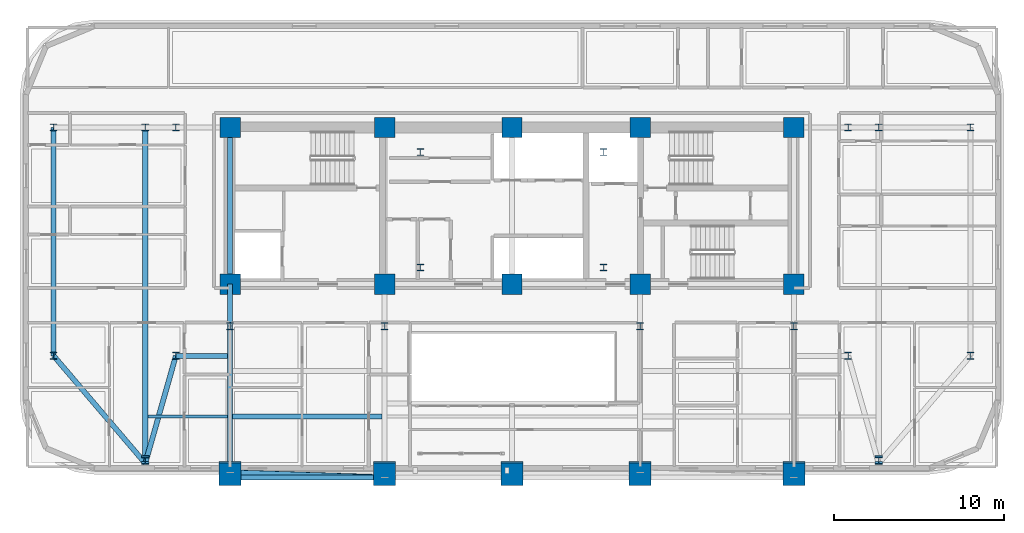
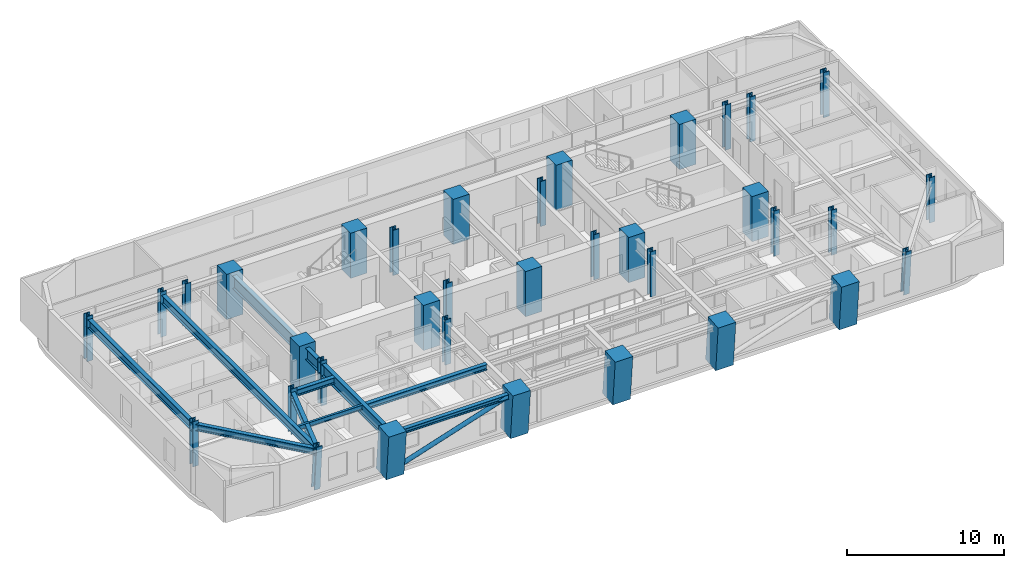
# One storey, part 1 of 16: 35 columns, 11 beams, 1 member.
"""IFC4 building model written with IfcOpenShell, lengths in metres."""

from ifc_helpers import new_model, si_unit, direction, frame, origin, origin_2d, place, context, subcontext, project, spatial, rectangle, hollow_circle, i_section, extrude, material, material_profile, profile_set, type_object, element, save


model = new_model("IFC4")

# Units and contexts
model_context = context("Model", 3, precision=1e-05, world=origin(), true_north=direction((0.0, 1.0)))
body_context = subcontext(model_context, "Body", "Model", "MODEL_VIEW")
ifc_project = project(units=[si_unit("LENGTHUNIT", "METRE"), si_unit("AREAUNIT", "SQUARE_METRE"), si_unit("VOLUMEUNIT", "CUBIC_METRE"), si_unit("PLANEANGLEUNIT", "RADIAN"), si_unit("MASSUNIT", "GRAM", prefix="KILO")], contexts=[model_context])

# Site, building, storey
site_placement = place(None, origin())
site = spatial("IfcSite", under=ifc_project, at=site_placement, CompositionType="ELEMENT")
building_placement = place(site_placement, origin())
building = spatial("IfcBuilding", under=site, at=building_placement, Name="Zarnavel Station Tower", CompositionType="ELEMENT")
storey_placement = place(building_placement, frame((0.0, 0.0, 104.800048828125)))
storey = spatial("IfcBuildingStorey", under=building, at=storey_placement, Name="L28", CompositionType="ELEMENT", Elevation=104.800048828125)

# Columns
ifc_material_1 = material(Name="Steel S460M", Category="steel")
ifc_material_profile_1 = material_profile(ifc_material_1, i_section(OverallWidth=0.41796875, OverallDepth=0.431884765625, WebThickness=0.034912109375, FlangeThickness=0.055908203125, FilletRadius=0.014892578125, at=origin_2d()), Name="HD400x421")
ifc_profile_set_1 = profile_set([ifc_material_profile_1], Name="Steel S460M")
column_type_1 = type_object("IfcColumnType", Name="EC_HD421", PredefinedType="COLUMN", material=ifc_profile_set_1)
for number, where, z_axis, x_axis, name in (
    (1, (1.800048828125, 23.60009765625, 0.0), (0.0, 0.0, 1.0), (1.0, 0.0, 0.0), "L28 Outer Wing South Column 1"),
    (2, (1.800048828125, 37.050048828125, 0.0), (0.0, 0.0, 1.0), (1.0, 0.0, 0.0), "L28 Outer Wing North Column 1"),
):
    element("IfcColumn", number, at=place(storey_placement, frame(where, z_axis=z_axis, x_axis=x_axis)), inside=storey, type_object=column_type_1, Name=name, PredefinedType="COLUMN", context=body_context, shape_type="SweptSolid", body=[
        extrude(i_section(OverallWidth=0.41796875, OverallDepth=0.431884765625, WebThickness=0.034912109375, FlangeThickness=0.055908203125, FilletRadius=0.014892578125, at=origin_2d()), origin(), (0.0, 0.0, 1.0), 3.5),
    ])
for number, where, z_axis, x_axis, name in (
    (3, (7.199951171875, 17.524658203125, 0.0), (0.0, -0.079891690793, 0.996803550226), (1.0, 0.0, 0.0), "L28 Raked Wing Column 2"),
    (4, (50.39990234375, 17.524658203125, 0.0), (0.0, -0.079891690793, 0.996803550226), (1.0, 0.0, 0.0), "L28 Raked Wing Column 3"),
):
    element("IfcColumn", number, at=place(storey_placement, frame(where, z_axis=z_axis, x_axis=x_axis)), inside=storey, type_object=column_type_1, Name=name, PredefinedType="COLUMN", context=body_context, shape_type="SweptSolid", body=[
        extrude(i_section(OverallWidth=0.41796875, OverallDepth=0.431884765625, WebThickness=0.034912109375, FlangeThickness=0.055908203125, FilletRadius=0.014892578125, at=origin_2d()), origin(), (0.0, 0.0, 1.0), 3.51123046875),
    ])
for number, where, z_axis, x_axis, name in (
    (5, (55.800048828125, 23.60009765625, 0.0), (0.0, 0.0, 1.0), (1.0, 0.0, 0.0), "L28 Outer Wing South Column 4"),
    (6, (55.800048828125, 37.050048828125, 0.0), (0.0, 0.0, 1.0), (1.0, 0.0, 0.0), "L28 Outer Wing North Column 4"),
):
    element("IfcColumn", number, at=place(storey_placement, frame(where, z_axis=z_axis, x_axis=x_axis)), inside=storey, type_object=column_type_1, Name=name, PredefinedType="COLUMN", context=body_context, shape_type="SweptSolid", body=[
        extrude(i_section(OverallWidth=0.41796875, OverallDepth=0.431884765625, WebThickness=0.034912109375, FlangeThickness=0.055908203125, FilletRadius=0.014892578125, at=origin_2d()), origin(), (0.0, 0.0, 1.0), 3.5),
    ])
ifc_material_2 = material(Name="Steel S460M", Category="steel")
ifc_material_profile_2 = material_profile(ifc_material_2, i_section(OverallWidth=0.41796875, OverallDepth=0.431884765625, WebThickness=0.034912109375, FlangeThickness=0.055908203125, FilletRadius=0.014892578125, at=origin_2d()), Name="HD400x421")
ifc_profile_set_2 = profile_set([ifc_material_profile_2], Name="Steel S460M")
column_type_2 = type_object("IfcColumnType", Name="IC_HD421", PredefinedType="COLUMN", material=ifc_profile_set_2)
for number, where, z_axis, x_axis, name in (
    (7, (23.39990234375, 28.800048828125, 0.0), (0.0, 0.0, 1.0), (1.0, 0.0, 0.0), "L28 Mast Spine Column 1"),
    (8, (34.199951171875, 28.800048828125, 0.0), (0.0, 0.0, 1.0), (1.0, 0.0, 0.0), "L28 Mast Spine Column 2"),
    (9, (34.199951171875, 35.60009765625, 0.0), (0.0, 0.0, 1.0), (1.0, 0.0, 0.0), "L28 Mast Spine Column 3"),
    (10, (23.39990234375, 35.60009765625, 0.0), (0.0, 0.0, 1.0), (1.0, 0.0, 0.0), "L28 Mast Spine Column 4"),
    (11, (12.199951171875, 25.35009765625, 0.0), (0.0, 0.0, 1.0), (1.0, 0.0, 0.0), "L28 Inner Spine Column 1"),
    (12, (21.300048828125, 25.35009765625, 0.0), (0.0, 0.0, 1.0), (1.0, 0.0, 0.0), "L28 Inner Spine Column 2"),
    (13, (36.35009765625, 25.35009765625, 0.0), (0.0, 0.0, 1.0), (1.0, 0.0, 0.0), "L28 Inner Spine Column 4"),
    (14, (45.39990234375, 25.35009765625, 0.0), (0.0, 0.0, 1.0), (1.0, 0.0, 0.0), "L28 Inner Spine Column 5"),
    (15, (9.0, 23.60009765625, 0.0), (0.0, 0.0, 1.0), (1.0, 0.0, 0.0), "L28 Inner Wing Spine Column 1-1"),
    (16, (9.0, 37.050048828125, 0.0), (0.0, 0.0, 1.0), (1.0, 0.0, 0.0), "L28 Inner Wing Spine Column 1-2"),
    (17, (48.60009765625, 23.60009765625, 0.0), (0.0, 0.0, 1.0), (1.0, 0.0, 0.0), "L28 Inner Wing Spine Column 2-1"),
    (18, (48.60009765625, 37.050048828125, 0.0), (0.0, 0.0, 1.0), (1.0, 0.0, 0.0), "L28 Inner Wing Spine Column 2-2"),
    (19, (7.199951171875, 37.050048828125, 0.0), (0.0, 0.0, 1.0), (1.0, 0.0, 0.0), "L28 Outer Wing North Column 2"),
    (20, (50.39990234375, 37.050048828125, 0.0), (0.0, 0.0, 1.0), (1.0, 0.0, 0.0), "L28 Outer Wing North Column 3"),
):
    element("IfcColumn", number, at=place(storey_placement, frame(where, z_axis=z_axis, x_axis=x_axis)), inside=storey, type_object=column_type_2, Name=name, PredefinedType="COLUMN", context=body_context, shape_type="SweptSolid", body=[
        extrude(i_section(OverallWidth=0.41796875, OverallDepth=0.431884765625, WebThickness=0.034912109375, FlangeThickness=0.055908203125, FilletRadius=0.014892578125, at=origin_2d()), origin(), (0.0, 0.0, 1.0), 3.5),
    ])
ifc_material_3 = material(Name="Concrete C50/60", Category="concrete")
ifc_material_profile_3 = material_profile(ifc_material_3, rectangle(XDim=1.199951171875, YDim=1.199951171875, at=origin_2d()), Name="RC1200x1200")
ifc_profile_set_3 = profile_set([ifc_material_profile_3], Name="Concrete C50/60")
column_type_3 = type_object("IfcColumnType", Name="IC_RC1200", PredefinedType="COLUMN", material=ifc_profile_set_3)
for number, where, z_axis, x_axis, name in (
    (21, (12.199951171875, 27.820068359375, 0.0), (0.0, 0.0, 1.0), (1.0, 0.0, 0.0), "L28 Core Spine Column 1-1"),
    (22, (12.199951171875, 37.050048828125, 0.0), (0.0, 0.0, 1.0), (1.0, 0.0, 0.0), "L28 Core Spine Column 1-2"),
    (23, (21.300048828125, 27.820068359375, 0.0), (0.0, 0.0, 1.0), (1.0, 0.0, 0.0), "L28 Core Spine Column 2-1"),
    (24, (21.300048828125, 37.050048828125, 0.0), (0.0, 0.0, 1.0), (1.0, 0.0, 0.0), "L28 Core Spine Column 2-2"),
    (25, (28.800048828125, 27.820068359375, 0.0), (0.0, 0.0, 1.0), (1.0, 0.0, 0.0), "L28 Core Spine Column 3-1"),
    (26, (28.800048828125, 37.050048828125, 0.0), (0.0, 0.0, 1.0), (1.0, 0.0, 0.0), "L28 Core Spine Column 3-2"),
    (27, (36.35009765625, 27.820068359375, 0.0), (0.0, 0.0, 1.0), (1.0, 0.0, 0.0), "L28 Core Spine Column 4-1"),
    (28, (36.35009765625, 37.050048828125, 0.0), (0.0, 0.0, 1.0), (1.0, 0.0, 0.0), "L28 Core Spine Column 4-2"),
    (29, (45.39990234375, 27.820068359375, 0.0), (0.0, 0.0, 1.0), (1.0, 0.0, 0.0), "L28 Core Spine Column 5-1"),
    (30, (45.39990234375, 37.050048828125, 0.0), (0.0, 0.0, 1.0), (1.0, 0.0, 0.0), "L28 Core Spine Column 5-2"),
):
    element("IfcColumn", number, at=place(storey_placement, frame(where, z_axis=z_axis, x_axis=x_axis)), inside=storey, type_object=column_type_3, Name=name, PredefinedType="COLUMN", context=body_context, shape_type="SweptSolid", body=[
        extrude(rectangle(XDim=1.199951171875, YDim=1.199951171875, at=origin_2d()), origin(), (0.0, 0.0, 1.0), 3.5),
    ])
ifc_material_4 = material(Name="Concrete C60/75", Category="concrete")
ifc_material_profile_4 = material_profile(ifc_material_4, rectangle(XDim=1.300048828125, YDim=1.300048828125, at=origin_2d()), Name="RC1300x1300")
ifc_profile_set_4 = profile_set([ifc_material_profile_4], Name="Concrete C60/75")
column_type_4 = type_object("IfcColumnType", Name="MC_RC1300", PredefinedType="COLUMN", material=ifc_profile_set_4)
for number, where, z_axis, x_axis, name in (
    (31, (12.199951171875, 16.73095703125, 0.0), (0.0, -0.090241349316, 0.995919925935), (1.0, 0.0, 0.0), "L28 Raked South Mega-Column 1"),
    (32, (21.300048828125, 16.73095703125, 0.0), (0.0, -0.090241349316, 0.995919925935), (1.0, 0.0, 0.0), "L28 Raked South Mega-Column 2"),
    (33, (28.800048828125, 16.73095703125, 0.0), (0.0, -0.090241349316, 0.995919925935), (1.0, 0.0, 0.0), "L28 Raked South Mega-Column 3"),
    (34, (36.35009765625, 16.73095703125, 0.0), (0.0, -0.090241349316, 0.995919925935), (1.0, 0.0, 0.0), "L28 Raked South Mega-Column 4"),
    (35, (45.39990234375, 16.73095703125, 0.0), (0.0, -0.090241349316, 0.995919925935), (1.0, 0.0, 0.0), "L28 Raked South Mega-Column 5"),
):
    element("IfcColumn", number, at=place(storey_placement, frame(where, z_axis=z_axis, x_axis=x_axis)), inside=storey, type_object=column_type_4, Name=name, PredefinedType="COLUMN", context=body_context, shape_type="SweptSolid", body=[
        extrude(rectangle(XDim=1.300048828125, YDim=1.300048828125, at=origin_2d()), origin(), (0.0, 0.0, 1.0), 3.514404296875),
    ])

# Member
ifc_material_5 = material(Name="Steel S355J2", Category="steel")
ifc_material_profile_5 = material_profile(ifc_material_5, hollow_circle(Radius=0.161865234375, WallThickness=0.012451171875, at=origin_2d()), Name="CHS323.9x12.5")
ifc_profile_set_5 = profile_set([ifc_material_profile_5], Name="Steel S355J2")
member_type = type_object("IfcMemberType", Name="DB_EXT_CHS324", PredefinedType="BRACE", material=ifc_profile_set_5)
member_placement = place(storey_placement, frame((12.199951171875, 16.73095703125, 0.0), z_axis=(0.941636397979, -0.030365588624, 0.335259339958), x_axis=(0.032230925026, 0.999480448769, 0.0)))
element("IfcMember", 36, at=member_placement, inside=storey, type_object=member_type, Name="L28 Persian Exterior Diagonal Frame Brace 1", PredefinedType="BRACE", context=body_context, shape_type="SweptSolid", body=[
    extrude(hollow_circle(Radius=0.161865234375, WallThickness=0.012451171875, at=origin_2d()), origin(), (0.0, 0.0, 1.0), 9.6640625),
])

# Beams
ifc_material_6 = material(Name="Steel S355J2", Category="steel")
ifc_material_profile_6 = material_profile(ifc_material_6, i_section(OverallWidth=0.300048828125, OverallDepth=0.360107421875, WebThickness=0.012451171875, FlangeThickness=0.0224609375, FilletRadius=0.027099609375, at=origin_2d()), Name="HEB360")
ifc_profile_set_6 = profile_set([ifc_material_profile_6], Name="Steel S355J2")
beam_type_1 = type_object("IfcBeamType", Name="EB_HEB360", PredefinedType="SPANDREL", material=ifc_profile_set_6)
beam_1_placement = place(storey_placement, frame((12.199951171875, 16.4375, 3.06005859375), z_axis=(1.0, 0.0, 0.0), x_axis=(0.0, 1.0, 0.0)))
element("IfcBeam", 37, at=beam_1_placement, inside=storey, type_object=beam_type_1, Name="L28 South Raked Spandrel 1", PredefinedType="SPANDREL", context=body_context, shape_type="SweptSolid", body=[
    extrude(i_section(OverallWidth=0.300048828125, OverallDepth=0.360107421875, WebThickness=0.012451171875, FlangeThickness=0.0224609375, FilletRadius=0.027099609375, at=origin_2d()), origin(), (0.0, 0.0, 1.0), 9.10009765625),
])
ifc_material_7 = material(Name="Steel S355J2", Category="steel")
ifc_material_profile_7 = material_profile(ifc_material_7, i_section(OverallWidth=0.300048828125, OverallDepth=0.43994140625, WebThickness=0.011474609375, FlangeThickness=0.02099609375, FilletRadius=0.027099609375, at=origin_2d()), Name="HEA450")
ifc_profile_set_7 = profile_set([ifc_material_profile_7], Name="Steel S355J2")
beam_type_2 = type_object("IfcBeamType", Name="FB_HEA450", PredefinedType="BEAM", material=ifc_profile_set_7)
beam_2_placement = place(storey_placement, frame((12.344970703125, 20.02490234375, 3.02001953125), z_axis=(1.0, 0.0, 0.0), x_axis=(0.0, 1.0, 0.0)))
element("IfcBeam", 38, at=beam_2_placement, inside=storey, type_object=beam_type_2, Name="L28 West Bay Beam 1", PredefinedType="BEAM", context=body_context, shape_type="SweptSolid", body=[
    extrude(i_section(OverallWidth=0.300048828125, OverallDepth=0.43994140625, WebThickness=0.011474609375, FlangeThickness=0.02099609375, FilletRadius=0.027099609375, at=origin_2d()), origin(), (0.0, 0.0, 1.0), 8.81005859375),
])
ifc_material_8 = material(Name="Steel S355J2", Category="steel")
ifc_material_profile_8 = material_profile(ifc_material_8, i_section(OverallWidth=0.300048828125, OverallDepth=0.5, WebThickness=0.014404296875, FlangeThickness=0.028076171875, FilletRadius=0.027099609375, at=origin_2d()), Name="HEB500")
ifc_profile_set_8 = profile_set([ifc_material_profile_8], Name="Steel S355J2")
beam_type_3 = type_object("IfcBeamType", Name="FG_HEB500", PredefinedType="USERDEFINED", material=ifc_profile_set_8)
beam_3_placement = place(storey_placement, frame((1.800048828125, 23.60009765625, 2.989990234375), z_axis=(0.648692407302, -0.761050695229, 0.0), x_axis=(0.761050695229, 0.648692407302, 0.0)))
element("IfcBeam", 39, at=beam_3_placement, inside=storey, type_object=beam_type_3, Name="L28 West Wing South Tie 1", ObjectType="GIRDER", PredefinedType="USERDEFINED", context=body_context, shape_type="SweptSolid", body=[
    extrude(i_section(OverallWidth=0.300048828125, OverallDepth=0.5, WebThickness=0.014404296875, FlangeThickness=0.028076171875, FilletRadius=0.027099609375, at=origin_2d()), origin(), (0.0, 0.0, 1.0), 8.32421875),
])
beam_4_placement = place(storey_placement, frame((7.199951171875, 17.264892578125, 2.989990234375), z_axis=(0.273315679071, 0.961924393897, 0.0), x_axis=(-0.961924393897, 0.273315679071, 0.0)))
element("IfcBeam", 40, at=beam_4_placement, inside=storey, type_object=beam_type_3, Name="L28 West Wing South Tie 2", ObjectType="GIRDER", PredefinedType="USERDEFINED", context=body_context, shape_type="SweptSolid", body=[
    extrude(i_section(OverallWidth=0.300048828125, OverallDepth=0.5, WebThickness=0.014404296875, FlangeThickness=0.028076171875, FilletRadius=0.027099609375, at=origin_2d()), origin(), (0.0, 0.0, 1.0), 6.5859375),
])
beam_5_placement = place(storey_placement, frame((9.0, 23.60009765625, 2.989990234375), z_axis=(1.0, 0.0, 0.0), x_axis=(0.0, 1.0, 0.0)))
element("IfcBeam", 41, at=beam_5_placement, inside=storey, type_object=beam_type_3, Name="L28 West Wing South Tie 3", ObjectType="GIRDER", PredefinedType="USERDEFINED", context=body_context, shape_type="SweptSolid", body=[
    extrude(i_section(OverallWidth=0.300048828125, OverallDepth=0.5, WebThickness=0.014404296875, FlangeThickness=0.028076171875, FilletRadius=0.027099609375, at=origin_2d()), origin(), (0.0, 0.0, 1.0), 3.054931640625),
])
ifc_material_9 = material(Name="Steel S355J2", Category="steel")
ifc_material_profile_9 = material_profile(ifc_material_9, i_section(OverallWidth=0.300048828125, OverallDepth=0.64990234375, WebThickness=0.01611328125, FlangeThickness=0.031005859375, FilletRadius=0.027099609375, at=origin_2d()), Name="HEB650")
ifc_profile_set_9 = profile_set([ifc_material_profile_9], Name="Steel S355J2")
beam_type_4 = type_object("IfcBeamType", Name="FG_HEB650", PredefinedType="USERDEFINED", material=ifc_profile_set_9)
beam_6_placement = place(storey_placement, frame((1.800048828125, 23.60009765625, 2.9150390625), z_axis=(0.0, 1.0, 0.0), x_axis=(-1.0, 0.0, 0.0)))
element("IfcBeam", 42, at=beam_6_placement, inside=storey, type_object=beam_type_4, Name="L28 Wing NS Girder 1", ObjectType="GIRDER", PredefinedType="USERDEFINED", context=body_context, shape_type="SweptSolid", body=[
    extrude(i_section(OverallWidth=0.300048828125, OverallDepth=0.64990234375, WebThickness=0.01611328125, FlangeThickness=0.031005859375, FilletRadius=0.027099609375, at=origin_2d()), origin(), (0.0, 0.0, 1.0), 13.449951171875),
])
beam_7_placement = place(storey_placement, frame((7.199951171875, 17.264892578125, 2.9150390625), z_axis=(0.0, 1.0, 0.0), x_axis=(-1.0, 0.0, 0.0)))
element("IfcBeam", 43, at=beam_7_placement, inside=storey, type_object=beam_type_4, Name="L28 Wing NS Girder 2", ObjectType="GIRDER", PredefinedType="USERDEFINED", context=body_context, shape_type="SweptSolid", body=[
    extrude(i_section(OverallWidth=0.300048828125, OverallDepth=0.64990234375, WebThickness=0.01611328125, FlangeThickness=0.031005859375, FilletRadius=0.027099609375, at=origin_2d()), origin(), (0.0, 0.0, 1.0), 19.78515625),
])
ifc_material_10 = material(Name="Steel S355J2", Category="steel")
ifc_material_profile_10 = material_profile(ifc_material_10, i_section(OverallWidth=0.169921875, OverallDepth=0.360107421875, WebThickness=0.008056640625, FlangeThickness=0.0126953125, FilletRadius=0.01806640625, at=origin_2d()), Name="IPE360")
ifc_profile_set_10 = profile_set([ifc_material_profile_10], Name="Steel S355J2")
beam_type_5 = type_object("IfcBeamType", Name="FJ_IPE360", PredefinedType="JOIST", material=ifc_profile_set_10)
beam_8_placement = place(storey_placement, frame((7.344970703125, 20.02490234375, 3.06005859375), z_axis=(1.0, 0.0, 0.0), x_axis=(0.0, 1.0, 0.0)))
element("IfcBeam", 44, at=beam_8_placement, inside=storey, type_object=beam_type_5, Name="L28 West Wing Joist 1", PredefinedType="JOIST", context=body_context, shape_type="SweptSolid", body=[
    extrude(i_section(OverallWidth=0.169921875, OverallDepth=0.360107421875, WebThickness=0.008056640625, FlangeThickness=0.0126953125, FilletRadius=0.01806640625, at=origin_2d()), origin(), (0.0, 0.0, 1.0), 4.7099609375),
])
ifc_material_11 = material(Name="Steel S460M", Category="steel")
ifc_material_profile_11 = material_profile(ifc_material_11, i_section(OverallWidth=0.302001953125, OverallDepth=1.008056640625, WebThickness=0.02099609375, FlangeThickness=0.0400390625, FilletRadius=0.030029296875, at=origin_2d()), Name="HEM1000")
ifc_profile_set_11 = profile_set([ifc_material_profile_11], Name="Steel S460M")
beam_type_6 = type_object("IfcBeamType", Name="TG_HEM1000", PredefinedType="USERDEFINED", material=ifc_profile_set_11)
beam_9_placement = place(storey_placement, frame((12.199951171875, 27.820068359375, 2.73583984375), z_axis=(0.0, 1.0, 0.0), x_axis=(-1.0, 0.0, 0.0)))
element("IfcBeam", 45, at=beam_9_placement, inside=storey, type_object=beam_type_6, Name="L28 Core Spine Coupling Girder 1", ObjectType="GIRDER", PredefinedType="USERDEFINED", context=body_context, shape_type="SweptSolid", body=[
    extrude(i_section(OverallWidth=0.302001953125, OverallDepth=1.008056640625, WebThickness=0.02099609375, FlangeThickness=0.0400390625, FilletRadius=0.030029296875, at=origin_2d()), origin(), (0.0, 0.0, 1.0), 9.22998046875),
])
ifc_material_12 = material(Name="Steel S460M", Category="steel")
ifc_material_profile_12 = material_profile(ifc_material_12, i_section(OverallWidth=0.302001953125, OverallDepth=0.909912109375, WebThickness=0.02099609375, FlangeThickness=0.0400390625, FilletRadius=0.030029296875, at=origin_2d()), Name="HEM900")
ifc_profile_set_12 = profile_set([ifc_material_profile_12], Name="Steel S460M")
beam_type_7 = type_object("IfcBeamType", Name="TG_HEM900", PredefinedType="USERDEFINED", material=ifc_profile_set_12)
beam_10_placement = place(storey_placement, frame((12.199951171875, 16.4375, 2.784912109375), z_axis=(0.0, 1.0, 0.0), x_axis=(-1.0, 0.0, 0.0)))
element("IfcBeam", 46, at=beam_10_placement, inside=storey, type_object=beam_type_7, Name="L28 South-Zone NS Girder 1", ObjectType="GIRDER", PredefinedType="USERDEFINED", context=body_context, shape_type="SweptSolid", body=[
    extrude(i_section(OverallWidth=0.302001953125, OverallDepth=0.909912109375, WebThickness=0.02099609375, FlangeThickness=0.0400390625, FilletRadius=0.030029296875, at=origin_2d()), origin(), (0.0, 0.0, 1.0), 8.91259765625),
])
beam_11_placement = place(storey_placement, frame((12.199951171875, 25.35009765625, 2.784912109375), z_axis=(0.0, 1.0, 0.0), x_axis=(-1.0, 0.0, 0.0)))
element("IfcBeam", 47, at=beam_11_placement, inside=storey, type_object=beam_type_7, Name="L28 Inner-Zone NS Girder 1", ObjectType="GIRDER", PredefinedType="USERDEFINED", context=body_context, shape_type="SweptSolid", body=[
    extrude(i_section(OverallWidth=0.302001953125, OverallDepth=0.909912109375, WebThickness=0.02099609375, FlangeThickness=0.0400390625, FilletRadius=0.030029296875, at=origin_2d()), origin(), (0.0, 0.0, 1.0), 2.469970703125),
])

save(model, "model.ifc")
